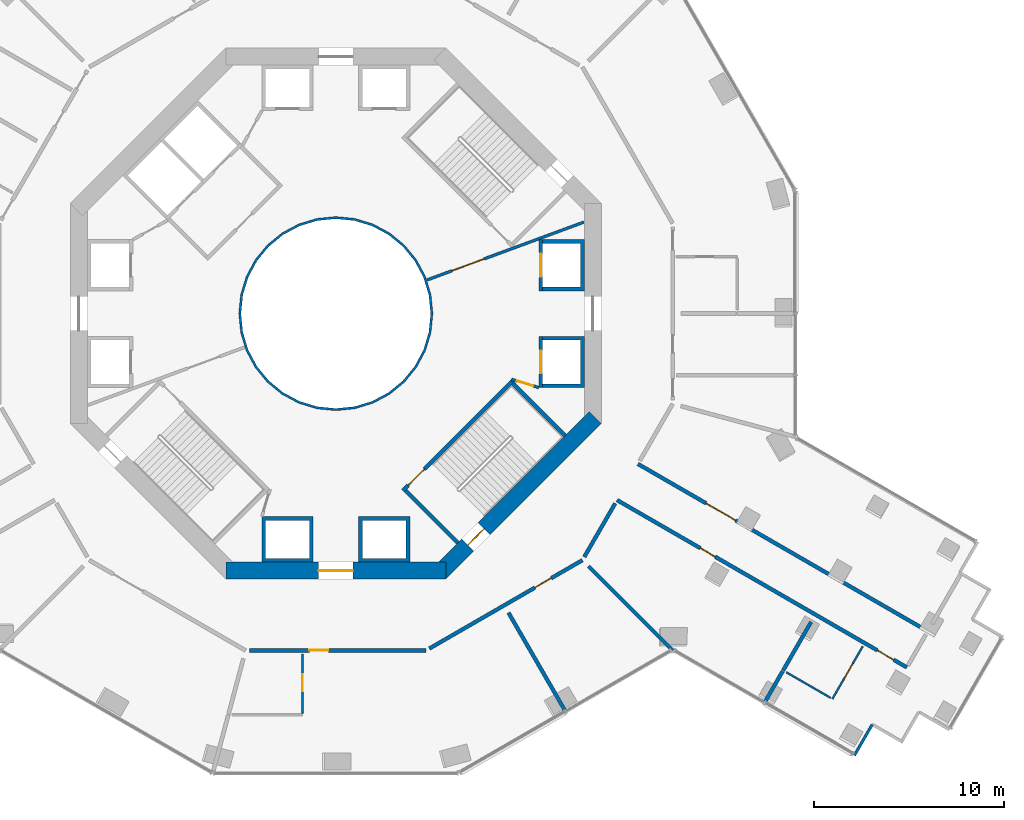
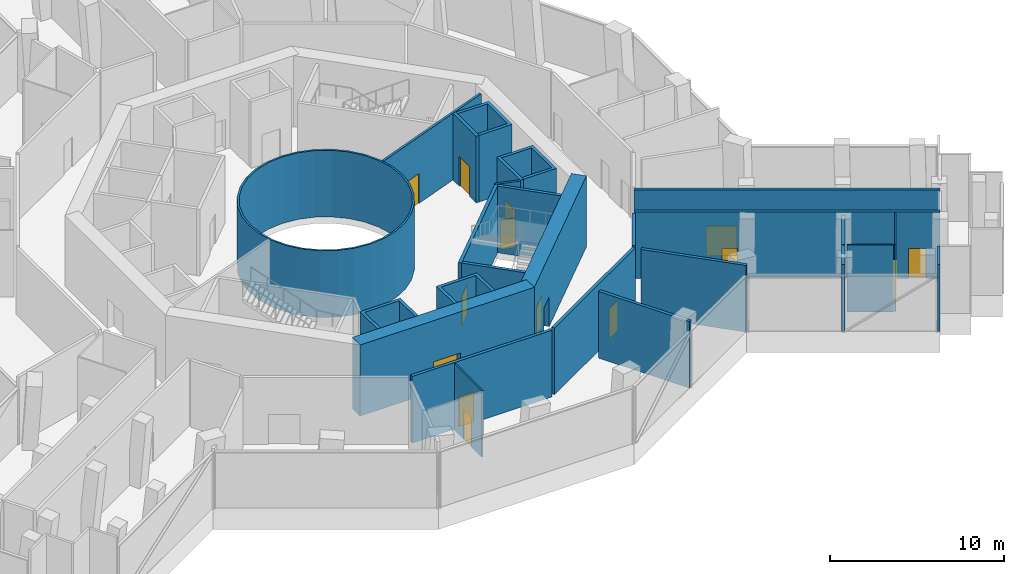
# One storey, part 10 of 16: 27 walls, 14 doors, 14 openings.
"""IFC4 building model written with IfcOpenShell, lengths in metres."""

import ifcopenshell
import ifcopenshell.guid

model = None  # the IFC model being written
_history = None  # IfcOwnerHistory: only IFC2X3 demands one
_inside = {}  # id of a spatial element -> (the spatial element, [elements in it])
_under = {}  # id of a project, library or spatial element -> (it, [spatial elements below it])
_declared = {}  # id of a project -> (the project, [libraries it declares])
_typed = {}  # id of a type object -> (the type object, [elements of that type])
_made_of = {}  # id of a material, layer set ... -> (it, [elements and type objects made of it])


def new_model(schema):
    """Start an empty IFC model of exactly this schema.

    Asked for "IFC4X3", IfcOpenShell would pick the latest addendum, in which some entities
    have other attributes; the version numbers below select the first issue.
    IFC2X3 requires an IfcOwnerHistory on every rooted entity: one is made here for all.
    """
    global model, _history
    if schema == "IFC4X3":
        model = ifcopenshell.file(schema_version=(4, 3, 0, 0))
    else:
        model = ifcopenshell.file(schema=schema)
    _inside.clear()
    _under.clear()
    _declared.clear()
    _typed.clear()
    _made_of.clear()
    _history = None
    if model.schema == "IFC2X3":
        org = make("IfcOrganization", Name="unknown")
        user = make(
            "IfcPersonAndOrganization",
            ThePerson=make("IfcPerson", FamilyName="unknown"),
            TheOrganization=org,
        )
        app = make(
            "IfcApplication",
            ApplicationDeveloper=org,
            Version="unknown",
            ApplicationFullName="unknown",
            ApplicationIdentifier="unknown",
        )
        _history = make(
            "IfcOwnerHistory",
            OwningUser=user,
            OwningApplication=app,
            ChangeAction="ADDED",
            CreationDate=0,
        )
    return model


def make(cls, **values):
    """One entity of the class cls with the attributes given. An attribute that is None is left unset."""
    return model.create_entity(
        cls, **{name: value for name, value in values.items() if value is not None}
    )


def rooted(cls, **values):
    """An entity with a GlobalId (a new one), such as an element, a storey or a relation."""
    return make(cls, GlobalId=ifcopenshell.guid.new(), OwnerHistory=_history, **values)


def si_unit(unit_type, name, prefix=None):
    """IfcSIUnit, for example si_unit("LENGTHUNIT", "METRE", prefix="MILLI")."""
    return make("IfcSIUnit", UnitType=unit_type, Prefix=prefix, Name=name)


def assignment(units):
    """IfcUnitAssignment: the units of a project."""
    return None if units is None else make("IfcUnitAssignment", Units=units)


def point(xyz):
    """IfcCartesianPoint."""
    return None if xyz is None else make("IfcCartesianPoint", Coordinates=xyz)


def direction(xyz):
    """IfcDirection."""
    return None if xyz is None else make("IfcDirection", DirectionRatios=xyz)


def frame(location, z_axis=None, x_axis=None):
    """IfcAxis2Placement3D, a coordinate frame: its origin and axes. An axis left out is left unset."""
    return make(
        "IfcAxis2Placement3D",
        Location=point(location),
        Axis=direction(z_axis),
        RefDirection=direction(x_axis),
    )


def frame_2d(location, x_axis=None):
    """IfcAxis2Placement2D, a coordinate frame in the plane: its origin and x axis."""
    return make(
        "IfcAxis2Placement2D", Location=point(location), RefDirection=direction(x_axis)
    )


def origin():
    """The frame at (0, 0, 0) with its axes left unset."""
    return frame((0.0, 0.0, 0.0))


def place(relative_to, where):
    """IfcLocalPlacement: puts the frame where relative to a parent placement (None: the world)."""
    return make(
        "IfcLocalPlacement", PlacementRelTo=relative_to, RelativePlacement=where
    )


def context(
    kind, dimensions, precision=None, world=None, true_north=None, identifier=None
):
    """IfcGeometricRepresentationContext, for example the 3D "Model" context."""
    return make(
        "IfcGeometricRepresentationContext",
        ContextIdentifier=identifier,
        ContextType=kind,
        CoordinateSpaceDimension=dimensions,
        Precision=precision,
        WorldCoordinateSystem=world,
        TrueNorth=true_north,
    )


def subcontext(parent, identifier, kind, view, scale=None):
    """IfcGeometricRepresentationSubContext, for example "Body" below "Model"."""
    return make(
        "IfcGeometricRepresentationSubContext",
        ContextIdentifier=identifier,
        ContextType=kind,
        ParentContext=parent,
        TargetScale=scale,
        TargetView=view,
    )


def project(units=None, contexts=None):
    """IfcProject with its units and contexts."""
    return rooted(
        "IfcProject",
        Name="project",
        RepresentationContexts=contexts,
        UnitsInContext=assignment(units),
    )


def spatial(cls, under=None, at=None, **own):
    """A site, building, storey or space (cls), placed at a placement, below another one or the project."""
    s = rooted(cls, ObjectPlacement=at, **own)
    if under is not None:
        _under.setdefault(under.id(), (under, []))[1].append(s)
    return s


def polyline(points):
    """IfcPolyline through the points."""
    return make("IfcPolyline", Points=[point(p) for p in points])


def profile(cls, at=None, kind="AREA", **sizes):
    """A parametric profile (cls). Its sizes go by their IFC names, for example OverallWidth=200.0."""
    return make(cls, ProfileType=kind, Position=at, **sizes)


def rectangle(**sizes):
    """IfcRectangleProfileDef."""
    return profile("IfcRectangleProfileDef", **sizes)


def outline(outer, holes=None, kind="AREA"):
    """IfcArbitraryClosedProfileDef: a profile drawn as a closed curve; with holes, ...WithVoids."""
    if holes is None:
        return make("IfcArbitraryClosedProfileDef", ProfileType=kind, OuterCurve=outer)
    return make(
        "IfcArbitraryProfileDefWithVoids",
        ProfileType=kind,
        OuterCurve=outer,
        InnerCurves=holes,
    )


def extrude(swept, where, along, depth):
    """IfcExtrudedAreaSolid: the profile swept, set in the frame where, extruded along a direction by depth."""
    return make(
        "IfcExtrudedAreaSolid",
        SweptArea=swept,
        Position=where,
        ExtrudedDirection=direction(along),
        Depth=depth,
    )


def shape(context_of_items, identifier, shape_type, items):
    """IfcShapeRepresentation: the items that make up one representation, for example the "Body"."""
    return make(
        "IfcShapeRepresentation",
        ContextOfItems=context_of_items,
        RepresentationIdentifier=identifier,
        RepresentationType=shape_type,
        Items=items,
    )


def material(Name=None, Category=None):
    """IfcMaterial."""
    return make("IfcMaterial", Name=Name, Category=Category)


def layer(
    of_material, thickness, ventilated=None, Name=None, Category=None, Priority=None
):
    """IfcMaterialLayer: one layer of a wall or slab, of a material (None: an air gap)."""
    return make(
        "IfcMaterialLayer",
        Material=of_material,
        LayerThickness=thickness,
        IsVentilated=ventilated,
        Name=Name,
        Category=Category,
        Priority=Priority,
    )


def layer_set(layers, Name=None):
    """IfcMaterialLayerSet."""
    return make("IfcMaterialLayerSet", MaterialLayers=layers, LayerSetName=Name)


def made_of(thing, what):
    """Note that an element or type object is made of a material, layer set ...; save() writes the relation."""
    if what is not None:
        _made_of.setdefault(what.id(), (what, []))[1].append(thing)
    return thing


def type_object(cls, material=None, **own):
    """A type object (cls), such as IfcWallType, which elements share."""
    return made_of(rooted(cls, **own), material)


def element(
    cls,
    number,
    at=None,
    inside=None,
    cuts=None,
    type_object=None,
    material=None,
    context=None,
    identifier="Body",
    shape_type=None,
    held_by="IfcProductDefinitionShape",
    body=None,
    shapes=None,
    **own,
):
    """One element of the class cls, such as IfcWall. Its Tag is "e" and its number.

    at: its placement. inside: the storey or other place that contains it. cuts: it is an
    opening in that element (IfcRelVoidsElement). A single representation is given by context,
    identifier, shape_type and body (its items); several are given by shapes. held_by: the class
    of the entity that holds the representations. save() writes the other relations.
    """
    e = rooted(cls, Tag="e%d" % number, ObjectPlacement=at, **own)
    if body is not None:
        shapes = [shape(context, identifier, shape_type, body)]
    if shapes is not None:
        e.Representation = make(held_by, Representations=shapes)
    if inside is not None:
        _inside.setdefault(inside.id(), (inside, []))[1].append(e)
    if cuts is not None:
        rooted(
            "IfcRelVoidsElement", RelatingBuildingElement=cuts, RelatedOpeningElement=e
        )
    if type_object is not None:
        _typed.setdefault(type_object.id(), (type_object, []))[1].append(e)
    return made_of(e, material)


def fill(opening, filler):
    """IfcRelFillsElement: the door or window that sits in an opening."""
    return rooted(
        "IfcRelFillsElement",
        RelatingOpeningElement=opening,
        RelatedBuildingElement=filler,
    )


def aggregate(whole, parts):
    """IfcRelAggregates: a whole, such as a stair, and the parts it consists of."""
    return rooted("IfcRelAggregates", RelatingObject=whole, RelatedObjects=parts)


def save(model, path):
    """Write the relations noted so far, then the file.

    IfcRelAggregates (storeys below a building ...), IfcRelContainedInSpatialStructure (elements
    in a storey), IfcRelDefinesByType, IfcRelAssociatesMaterial and IfcRelDeclares: one each for
    every whole, place, type object, material and project.
    """
    for whole, parts in _under.values():
        aggregate(whole, parts)
    for where, things in _inside.values():
        rooted(
            "IfcRelContainedInSpatialStructure",
            RelatedElements=things,
            RelatingStructure=where,
        )
    for kind, things in _typed.values():
        rooted("IfcRelDefinesByType", RelatedObjects=things, RelatingType=kind)
    for what, things in _made_of.values():
        rooted("IfcRelAssociatesMaterial", RelatedObjects=things, RelatingMaterial=what)
    for by, libraries in _declared.values():
        rooted("IfcRelDeclares", RelatingContext=by, RelatedDefinitions=libraries)
    model.write(path)


model = new_model("IFC4")

# Units and contexts
model_context = context("Model", 3, precision=1e-05, world=origin(), true_north=direction((0.0, 1.0)))
body_context = subcontext(model_context, "Body", "Model", "MODEL_VIEW")
ifc_project = project(units=[si_unit("LENGTHUNIT", "METRE"), si_unit("AREAUNIT", "SQUARE_METRE"), si_unit("VOLUMEUNIT", "CUBIC_METRE"), si_unit("PLANEANGLEUNIT", "RADIAN"), si_unit("MASSUNIT", "GRAM", prefix="KILO")], contexts=[model_context])

# Site, building, storey
site_placement = place(None, origin())
site = spatial("IfcSite", under=ifc_project, at=site_placement, CompositionType="ELEMENT")
building_placement = place(site_placement, origin())
building = spatial("IfcBuilding", under=site, at=building_placement, Name="Verdalira Terraces Hotel", CompositionType="ELEMENT")
storey_placement = place(building_placement, frame((0.0, 0.0, 34.0)))
storey = spatial("IfcBuildingStorey", under=building, at=storey_placement, Name="L06", CompositionType="ELEMENT", Elevation=34.0)

# Wall
ifc_material_1 = material(Name="Fire-resisting glass EI 180", Category="glass")
ifc_layer_1 = layer(ifc_material_1, 0.1201171875)
ifc_layer_set_1 = layer_set([ifc_layer_1], Name="Atrium fire screen 120 mm")
wall_type_1 = type_object("IfcWallType", Name="Atrium fire screen 120 mm", PredefinedType="SOLIDWALL", material=ifc_layer_set_1)
wall_1_placement = place(storey_placement, origin())
element("IfcWall", 1, at=wall_1_placement, inside=storey, type_object=wall_type_1, Name="Atrium fire screen", PredefinedType="SOLIDWALL", context=body_context, shape_type="SweptSolid", body=[
    extrude(outline(polyline([(5.021484, -0.998779), (4.730225, -1.959229), (4.25708, -2.844482), (3.620361, -3.620361), (2.844482, -4.25708), (1.959229, -4.730225), (0.998779, -5.021484), (0.0, -5.120117), (-0.998779, -5.021484), (-1.959229, -4.730225), (-2.844482, -4.25708), (-3.620361, -3.620361), (-4.25708, -2.844482), (-4.730225, -1.959229), (-5.021484, -0.998779), (-5.120117, 0.0), (-5.021484, 0.998779), (-4.730225, 1.959229), (-4.25708, 2.844482), (-3.620361, 3.620361), (-2.844482, 4.25708), (-1.959229, 4.730225), (-0.998779, 5.021484), (0.0, 5.120117), (0.998779, 5.021484), (1.959229, 4.730225), (2.844482, 4.25708), (3.620361, 3.620361), (4.25708, 2.844482), (4.730225, 1.959229), (5.021484, 0.998779), (5.120117, 0.0), (5.021484, -0.998779)]), holes=[polyline([(4.903809, 0.975586), (4.619385, 1.91333), (4.157227, 2.777832), (3.5354, 3.5354), (2.777832, 4.157227), (1.91333, 4.619385), (0.975586, 4.903809), (0.0, 5.0), (-0.975586, 4.903809), (-1.91333, 4.619385), (-2.777832, 4.157227), (-3.5354, 3.5354), (-4.157227, 2.777832), (-4.619385, 1.91333), (-4.903809, 0.975586), (-5.0, 0.0), (-4.903809, -0.975586), (-4.619385, -1.91333), (-4.157227, -2.777832), (-3.5354, -3.5354), (-2.777832, -4.157227), (-1.91333, -4.619385), (-0.975586, -4.903809), (0.0, -5.0), (0.975586, -4.903809), (1.91333, -4.619385), (2.777832, -4.157227), (3.5354, -3.5354), (4.157227, -2.777832), (4.619385, -1.91333), (4.903809, -0.975586), (5.0, 0.0), (4.903809, 0.975586)])]), origin(), (0.0, 0.0, 1.0), 4.689941),
])

# Wall, opening, door
ifc_material_2 = material(Name="Moisture-resistant gypsum board partition")
ifc_layer_2 = layer(ifc_material_2, 0.10009765625)
ifc_layer_set_2 = layer_set([ifc_layer_2], Name="Bathroom partition 100 mm")
wall_type_2 = type_object("IfcWallType", Name="Bathroom partition 100 mm", PredefinedType="PARTITIONING", material=ifc_layer_set_2)
wall_2_placement = place(storey_placement, frame((-1.758301, -21.05835, 0.0), z_axis=(0.0, 0.0, 1.0), x_axis=(0.0, 1.0, 0.0)))
wall_2 = element("IfcWall", 2, at=wall_2_placement, inside=storey, type_object=wall_type_2, Name="Bathroom partition", PredefinedType="PARTITIONING", context=body_context, shape_type="SweptSolid", body=[
    extrude(rectangle(XDim=3.100098, YDim=0.100098, at=frame_2d((1.550049, 0.0))), origin(), (0.0, 0.0, 1.0), 4.689941),
])
opening_1_placement = place(wall_2_placement, frame((1.149902, 0.0, 0.0)))
opening_1 = element("IfcOpeningElement", 3, at=opening_1_placement, cuts=wall_2, Name="Opening L06-116", PredefinedType="OPENING", context=body_context, shape_type="SweptSolid", body=[
    extrude(rectangle(XDim=0.899902, YDim=2.100098, at=frame_2d((0.449951, 1.050049))), frame((0.0, 0.060059, 0.0), z_axis=(0.0, -1.0, 0.0), x_axis=(1.0, 0.0, 0.0)), (0.0, 0.0, 1.0), 0.120117),
])
ifc_material_3 = material(Name="Timber door", Category="wood")
door_type_1 = type_object("IfcDoorType", Name="Bathroom door 900 x 2100", OperationType="NOTDEFINED", PredefinedType="DOOR", material=ifc_material_3)
door_1_placement = place(opening_1_placement, origin())
door_1 = element("IfcDoor", 4, at=door_1_placement, inside=storey, type_object=door_type_1, Name="Bathroom door 0610", OperationType="SINGLE_SWING_LEFT", OverallHeight=2.10009765625, OverallWidth=0.89990234375, PredefinedType="DOOR", context=body_context, shape_type="SweptSolid", body=[
    extrude(rectangle(XDim=0.899902, YDim=2.100098, at=frame_2d((0.449951, 1.050049))), frame((0.0, 0.024902, 0.0), z_axis=(0.0, -1.0, 0.0), x_axis=(1.0, 0.0, 0.0)), (0.0, 0.0, 1.0), 0.050049),
])
fill(opening_1, door_1)

# Wall
wall_3_placement = place(storey_placement, frame((26.094238, -20.261719, 0.0), z_axis=(0.0, 0.0, 1.0), x_axis=(-0.865997349, 0.500048589, 0.0)))
element("IfcWall", 5, at=wall_3_placement, inside=storey, type_object=wall_type_2, Name="Bathroom partition", PredefinedType="PARTITIONING", context=body_context, shape_type="SweptSolid", body=[
    extrude(rectangle(XDim=2.699951, YDim=0.100098, at=frame_2d((1.350098, 0.0))), origin(), (0.0, 0.0, 1.0), 4.689941),
])

# Wall, opening, door
wall_4_placement = place(storey_placement, frame((26.180908, -20.311768, 0.0), z_axis=(0.0, 0.0, 1.0), x_axis=(0.499995408, 0.866028055, 0.0)))
wall_4 = element("IfcWall", 6, at=wall_4_placement, inside=storey, type_object=wall_type_2, Name="Bathroom partition", PredefinedType="PARTITIONING", context=body_context, shape_type="SweptSolid", body=[
    extrude(rectangle(XDim=3.200195, YDim=0.100098, at=frame_2d((1.600098, 0.0))), origin(), (0.0, 0.0, 1.0), 4.689941),
])
opening_2_placement = place(wall_4_placement, frame((1.25, 0.0, 0.0)))
opening_2 = element("IfcOpeningElement", 7, at=opening_2_placement, cuts=wall_4, Name="Opening L06-120", PredefinedType="OPENING", context=body_context, shape_type="SweptSolid", body=[
    extrude(rectangle(XDim=0.899902, YDim=2.100098, at=frame_2d((0.449951, 1.050049))), frame((0.0, 0.060059, 0.0), z_axis=(0.0, -1.0, 0.0), x_axis=(1.0, 0.0, 0.0)), (0.0, 0.0, 1.0), 0.120117),
])
door_2_placement = place(opening_2_placement, origin())
door_2 = element("IfcDoor", 8, at=door_2_placement, inside=storey, type_object=door_type_1, Name="Bathroom door 0613", OperationType="SINGLE_SWING_LEFT", OverallHeight=2.10009765625, OverallWidth=0.89990234375, PredefinedType="DOOR", context=body_context, shape_type="SweptSolid", body=[
    extrude(rectangle(XDim=0.899902, YDim=2.100098, at=frame_2d((0.449951, 1.050049))), frame((0.0, 0.024902, 0.0), z_axis=(0.0, -1.0, 0.0), x_axis=(1.0, 0.0, 0.0)), (0.0, 0.0, 1.0), 0.050049),
])
fill(opening_2, door_2)

# Wall
ifc_material_4 = material(Name="Concrete C50", Category="concrete")
ifc_layer_3 = layer(ifc_material_4, 0.199951171875)
ifc_layer_set_3 = layer_set([ifc_layer_3], Name="Core RC wall 200 C50")
wall_type_3 = type_object("IfcWallType", Name="Core RC wall 200 C50", PredefinedType="SOLIDWALL", material=ifc_layer_set_3)
wall_5_placement = place(storey_placement, origin())
element("IfcWall", 9, at=wall_5_placement, inside=storey, type_object=wall_type_3, Name="L06 shaft wall E1", PredefinedType="SOLIDWALL", context=body_context, shape_type="SweptSolid", body=[
    extrude(outline(polyline([(13.100098, -3.899902), (10.899902, -3.899902), (10.899902, -3.699951), (12.899902, -3.699951), (12.899902, -1.399902), (10.899902, -1.399902), (10.899902, -1.199951), (13.100098, -1.199951), (13.100098, -3.899902)])), origin(), (0.0, 0.0, 1.0), 4.689941),
])

# Wall, opening, door
wall_6_placement = place(storey_placement, frame((10.800049, -1.199951, 0.0), z_axis=(0.0, 0.0, 1.0), x_axis=(0.0, -1.0, 0.0)))
wall_6 = element("IfcWall", 10, at=wall_6_placement, inside=storey, type_object=wall_type_3, Name="L06 shaft front wall E1", PredefinedType="SOLIDWALL", context=body_context, shape_type="SweptSolid", body=[
    extrude(rectangle(XDim=2.699951, YDim=0.199951, at=frame_2d((1.350098, 0.0))), origin(), (0.0, 0.0, 1.0), 4.689941),
])
opening_3_placement = place(wall_6_placement, frame((0.75, 0.0, 0.0)))
opening_3 = element("IfcOpeningElement", 11, at=opening_3_placement, cuts=wall_6, Name="Opening LD-L06-801", PredefinedType="OPENING", context=body_context, shape_type="SweptSolid", body=[
    extrude(rectangle(XDim=1.199951, YDim=2.100098, at=frame_2d((0.600098, 1.050049))), frame((0.0, 0.109863, 0.0), z_axis=(0.0, -1.0, 0.0), x_axis=(1.0, 0.0, 0.0)), (0.0, 0.0, 1.0), 0.219971),
])
ifc_material_5 = material(Name="Stainless steel", Category="steel")
door_type_2 = type_object("IfcDoorType", Name="Landing door 1200 x 2100", OperationType="NOTDEFINED", PredefinedType="DOOR", material=ifc_material_5)
door_3_placement = place(opening_3_placement, origin())
door_3 = element("IfcDoor", 12, at=door_3_placement, inside=storey, type_object=door_type_2, Name="Lift landing door LR1 L06", OperationType="DOUBLE_DOOR_SLIDING", OverallHeight=2.10009765625, OverallWidth=1.199951171875, PredefinedType="DOOR", context=body_context, shape_type="SweptSolid", body=[
    extrude(rectangle(XDim=1.199951, YDim=2.100098, at=frame_2d((0.600098, 1.050049))), frame((0.0, 0.024902, 0.0), z_axis=(0.0, -1.0, 0.0), x_axis=(1.0, 0.0, 0.0)), (0.0, 0.0, 1.0), 0.050049),
])
fill(opening_3, door_3)

# Wall
wall_7_placement = place(storey_placement, origin())
element("IfcWall", 13, at=wall_7_placement, inside=storey, type_object=wall_type_3, Name="L06 shaft wall E2", PredefinedType="SOLIDWALL", context=body_context, shape_type="SweptSolid", body=[
    extrude(outline(polyline([(13.100098, 3.899902), (13.100098, 1.199951), (10.899902, 1.199951), (10.899902, 1.399902), (12.899902, 1.399902), (12.899902, 3.699951), (10.899902, 3.699951), (10.899902, 3.899902), (13.100098, 3.899902)])), origin(), (0.0, 0.0, 1.0), 4.689941),
])

# Wall, opening, door
wall_8_placement = place(storey_placement, frame((10.800049, 1.199951, 0.0), z_axis=(0.0, 0.0, 1.0), x_axis=(0.0, 1.0, 0.0)))
wall_8 = element("IfcWall", 14, at=wall_8_placement, inside=storey, type_object=wall_type_3, Name="L06 shaft front wall E2", PredefinedType="SOLIDWALL", context=body_context, shape_type="SweptSolid", body=[
    extrude(rectangle(XDim=2.699951, YDim=0.199951, at=frame_2d((1.350098, 0.0))), origin(), (0.0, 0.0, 1.0), 4.689941),
])
opening_4_placement = place(wall_8_placement, frame((0.75, 0.0, 0.0)))
opening_4 = element("IfcOpeningElement", 15, at=opening_4_placement, cuts=wall_8, Name="Opening LD-L06-802", PredefinedType="OPENING", context=body_context, shape_type="SweptSolid", body=[
    extrude(rectangle(XDim=1.199951, YDim=2.100098, at=frame_2d((0.600098, 1.050049))), frame((0.0, 0.109863, 0.0), z_axis=(0.0, -1.0, 0.0), x_axis=(1.0, 0.0, 0.0)), (0.0, 0.0, 1.0), 0.219971),
])
door_4_placement = place(opening_4_placement, origin())
door_4 = element("IfcDoor", 16, at=door_4_placement, inside=storey, type_object=door_type_2, Name="Lift landing door LR2 L06", OperationType="DOUBLE_DOOR_SLIDING", OverallHeight=2.10009765625, OverallWidth=1.199951171875, PredefinedType="DOOR", context=body_context, shape_type="SweptSolid", body=[
    extrude(rectangle(XDim=1.199951, YDim=2.100098, at=frame_2d((0.600098, 1.050049))), frame((0.0, 0.024902, 0.0), z_axis=(0.0, -1.0, 0.0), x_axis=(1.0, 0.0, 0.0)), (0.0, 0.0, 1.0), 0.050049),
])
fill(opening_4, door_4)

# Walls
wall_9_placement = place(storey_placement, origin())
element("IfcWall", 17, at=wall_9_placement, inside=storey, type_object=wall_type_3, Name="L06 shaft wall S1", PredefinedType="SOLIDWALL", context=body_context, shape_type="SweptSolid", body=[
    extrude(outline(polyline([(-1.199951, -13.100098), (-3.899902, -13.100098), (-3.899902, -10.699951), (-1.199951, -10.699951), (-1.199951, -13.100098)]), holes=[polyline([(-3.699951, -10.899902), (-3.699951, -12.899902), (-1.399902, -12.899902), (-1.399902, -10.899902), (-3.699951, -10.899902)])]), origin(), (0.0, 0.0, 1.0), 4.689941),
])
wall_10_placement = place(storey_placement, origin())
element("IfcWall", 18, at=wall_10_placement, inside=storey, type_object=wall_type_3, Name="L06 shaft wall S2", PredefinedType="SOLIDWALL", context=body_context, shape_type="SweptSolid", body=[
    extrude(outline(polyline([(3.899902, -10.699951), (3.899902, -13.100098), (1.199951, -13.100098), (1.199951, -10.699951), (3.899902, -10.699951)]), holes=[polyline([(1.399902, -12.899902), (3.699951, -12.899902), (3.699951, -10.899902), (1.399902, -10.899902), (1.399902, -12.899902)])]), origin(), (0.0, 0.0, 1.0), 4.689941),
])

# Wall, opening, door
wall_11_placement = place(storey_placement, frame((9.33374, -3.5354, 0.0), z_axis=(0.0, 0.0, 1.0), x_axis=(-0.707106781, -0.707106781, 0.0)))
wall_11 = element("IfcWall", 19, at=wall_11_placement, inside=storey, type_object=wall_type_3, Name="L06 stair ST3 front wall", PredefinedType="SOLIDWALL", context=body_context, shape_type="SweptSolid", body=[
    extrude(rectangle(XDim=8.200195, YDim=0.199951, at=frame_2d((4.100098, 0.0))), origin(), (0.0, 0.0, 1.0), 4.689941),
])
opening_5_placement = place(wall_11_placement, frame((6.600098, 0.0, 0.0)))
opening_5 = element("IfcOpeningElement", 20, at=opening_5_placement, cuts=wall_11, Name="Opening L06-811", PredefinedType="OPENING", context=body_context, shape_type="SweptSolid", body=[
    extrude(rectangle(XDim=1.199951, YDim=2.100098, at=frame_2d((0.600098, 1.050049))), frame((0.0, 0.109863, 0.0), z_axis=(0.0, -1.0, 0.0), x_axis=(1.0, 0.0, 0.0)), (0.0, 0.0, 1.0), 0.219971),
])
ifc_material_6 = material(Name="Steel fire door", Category="steel")
door_type_3 = type_object("IfcDoorType", Name="Stair door 1200 x 2100", OperationType="NOTDEFINED", PredefinedType="DOOR", material=ifc_material_6)
door_5_placement = place(opening_5_placement, origin())
door_5 = element("IfcDoor", 21, at=door_5_placement, inside=storey, type_object=door_type_3, Name="Stair door ST3 L06", OperationType="SINGLE_SWING_RIGHT", OverallHeight=2.10009765625, OverallWidth=1.199951171875, PredefinedType="DOOR", context=body_context, shape_type="SweptSolid", body=[
    extrude(rectangle(XDim=1.199951, YDim=2.100098, at=frame_2d((0.600098, 1.050049))), frame((0.0, 0.024902, 0.0), z_axis=(0.0, -1.0, 0.0), x_axis=(1.0, 0.0, 0.0)), (0.0, 0.0, 1.0), 0.050049),
])
fill(opening_5, door_5)

# Walls
for number, where, z_axis, x_axis, name in (
    (22, (3.677002, -9.33374, 0.0), (0.0, 0.0, 1.0), (0.707106781, -0.707106781, 0.0), "L06 stair ST3 end wall 1"),
    (23, (9.33374, -3.677002, 0.0), (0.0, 0.0, 1.0), (0.707106781, -0.707106781, 0.0), "L06 stair ST3 end wall 2"),
):
    element("IfcWall", number, at=place(storey_placement, frame(where, z_axis=z_axis, x_axis=x_axis)), inside=storey, type_object=wall_type_3, Name=name, PredefinedType="SOLIDWALL", context=body_context, shape_type="SweptSolid", body=[
        extrude(rectangle(XDim=3.900146, YDim=0.199951, at=frame_2d((1.950195, 0.0))), origin(), (0.0, 0.0, 1.0), 4.689941),
    ])

# Wall, opening, door
ifc_material_7 = material(Name="Gypsum board partition")
ifc_layer_4 = layer(ifc_material_7, 0.14990234375)
ifc_layer_set_4 = layer_set([ifc_layer_4], Name="Core partition 150 mm")
wall_type_4 = type_object("IfcWallType", Name="Core partition 150 mm", PredefinedType="PARTITIONING", material=ifc_layer_set_4)
wall_12_placement = place(storey_placement, frame((9.263184, -3.464844, 0.0), z_axis=(0.0, 0.0, 1.0), x_axis=(0.957084567, -0.289808785, 0.0)))
wall_12 = element("IfcWall", 24, at=wall_12_placement, inside=storey, type_object=wall_type_4, Name="Room partition L06", PredefinedType="PARTITIONING", context=body_context, shape_type="SweptSolid", body=[
    extrude(rectangle(XDim=1.501221, YDim=0.149902, at=frame_2d((0.750488, 0.0))), origin(), (0.0, 0.0, 1.0), 4.689941),
])
opening_6_placement = place(wall_12_placement, frame((0.300781, 0.0, 0.0)))
opening_6 = element("IfcOpeningElement", 25, at=opening_6_placement, cuts=wall_12, Name="Opening L06-823", PredefinedType="OPENING", context=body_context, shape_type="SweptSolid", body=[
    extrude(rectangle(XDim=0.899902, YDim=2.100098, at=frame_2d((0.449951, 1.050049))), frame((0.0, 0.084961, 0.0), z_axis=(0.0, -1.0, 0.0), x_axis=(1.0, 0.0, 0.0)), (0.0, 0.0, 1.0), 0.169922),
])
ifc_material_8 = material(Name="Steel fire door", Category="steel")
door_type_4 = type_object("IfcDoorType", Name="Core room door 900 x 2100", OperationType="NOTDEFINED", PredefinedType="DOOR", material=ifc_material_8)
door_6_placement = place(opening_6_placement, origin())
door_6 = element("IfcDoor", 26, at=door_6_placement, inside=storey, type_object=door_type_4, Name="Door L06 room7", OperationType="SINGLE_SWING_LEFT", OverallHeight=2.10009765625, OverallWidth=0.89990234375, PredefinedType="DOOR", context=body_context, shape_type="SweptSolid", body=[
    extrude(rectangle(XDim=0.899902, YDim=2.100098, at=frame_2d((0.449951, 1.050049))), frame((0.0, 0.024902, 0.0), z_axis=(0.0, -1.0, 0.0), x_axis=(1.0, 0.0, 0.0)), (0.0, 0.0, 1.0), 0.050049),
])
fill(opening_6, door_6)

wall_13_placement = place(storey_placement, frame((4.812988, 1.775635, 0.0), z_axis=(0.0, 0.0, 1.0), x_axis=(0.93819293, 0.346112737, 0.0)))
wall_13 = element("IfcWall", 27, at=wall_13_placement, inside=storey, type_object=wall_type_4, Name="Gallery fire partition L06", PredefinedType="PARTITIONING", context=body_context, shape_type="SweptSolid", body=[
    extrude(rectangle(XDim=8.803223, YDim=0.149902, at=frame_2d((4.401611, 0.0))), origin(), (0.0, 0.0, 1.0), 4.689941),
])
opening_7_placement = place(wall_13_placement, frame((1.399902, 0.0, 0.0)))
opening_7 = element("IfcOpeningElement", 28, at=opening_7_placement, cuts=wall_13, Name="Opening L06-824", PredefinedType="OPENING", context=body_context, shape_type="SweptSolid", body=[
    extrude(rectangle(XDim=1.800049, YDim=2.100098, at=frame_2d((0.899902, 1.050049))), frame((0.0, 0.084961, 0.0), z_axis=(0.0, -1.0, 0.0), x_axis=(1.0, 0.0, 0.0)), (0.0, 0.0, 1.0), 0.169922),
])
ifc_material_9 = material(Name="Steel fire door", Category="steel")
door_type_5 = type_object("IfcDoorType", Name="Gallery fire door pair 1800 x 2100", OperationType="NOTDEFINED", PredefinedType="DOOR", material=ifc_material_9)
door_7_placement = place(opening_7_placement, origin())
door_7 = element("IfcDoor", 29, at=door_7_placement, inside=storey, type_object=door_type_5, Name="Door L06 split0", OperationType="DOUBLE_DOOR_SINGLE_SWING", OverallHeight=2.10009765625, OverallWidth=1.800048828125, PredefinedType="DOOR", context=body_context, shape_type="SweptSolid", body=[
    extrude(rectangle(XDim=1.800049, YDim=2.100098, at=frame_2d((0.899902, 1.050049))), frame((0.0, 0.024902, 0.0), z_axis=(0.0, -1.0, 0.0), x_axis=(1.0, 0.0, 0.0)), (0.0, 0.0, 1.0), 0.050049),
])
fill(opening_7, door_7)

ifc_material_10 = material(Name="Concrete C70", Category="concrete")
ifc_layer_5 = layer(ifc_material_10, 0.89990234375)
ifc_layer_set_5 = layer_set([ifc_layer_5], Name="Core wall 900 C70")
wall_type_5 = type_object("IfcWallType", Name="Core wall 900 C70", PredefinedType="SHEAR", material=ifc_layer_set_5)
wall_14_placement = place(storey_placement, frame((-5.799072, -13.550049, 0.0), z_axis=(0.0, 0.0, 1.0), x_axis=(1.0, 0.0, 0.0)))
wall_14 = element("IfcWall", 30, at=wall_14_placement, inside=storey, type_object=wall_type_5, Name="Core wall CW-L06-7", PredefinedType="SHEAR", context=body_context, shape_type="SweptSolid", body=[
    extrude(rectangle(XDim=11.598145, YDim=0.899902, at=frame_2d((5.799072, 0.0))), origin(), (0.0, 0.0, 1.0), 5.0),
])
opening_8_placement = place(wall_14_placement, frame((4.898926, 0.0, 0.0)))
opening_8 = element("IfcOpeningElement", 31, at=opening_8_placement, cuts=wall_14, Name="Opening L06-815", PredefinedType="OPENING", context=body_context, shape_type="SweptSolid", body=[
    extrude(rectangle(XDim=1.800049, YDim=2.100098, at=frame_2d((0.899902, 1.050049))), frame((0.0, 0.459961, 0.0), z_axis=(0.0, -1.0, 0.0), x_axis=(1.0, 0.0, 0.0)), (0.0, 0.0, 1.0), 0.919922),
])
ifc_material_11 = material(Name="Steel fire door", Category="steel")
door_type_6 = type_object("IfcDoorType", Name="Core entry door pair 1800 x 2100", OperationType="NOTDEFINED", PredefinedType="DOOR", material=ifc_material_11)
door_8_placement = place(opening_8_placement, origin())
door_8 = element("IfcDoor", 32, at=door_8_placement, inside=storey, type_object=door_type_6, Name="Core entry door L06 6", OperationType="DOUBLE_DOOR_SINGLE_SWING", OverallHeight=2.10009765625, OverallWidth=1.800048828125, PredefinedType="DOOR", context=body_context, shape_type="SweptSolid", body=[
    extrude(rectangle(XDim=1.800049, YDim=2.100098, at=frame_2d((0.899902, 1.050049))), frame((0.0, 0.024902, 0.0), z_axis=(0.0, -1.0, 0.0), x_axis=(1.0, 0.0, 0.0)), (0.0, 0.0, 1.0), 0.050049),
])
fill(opening_8, door_8)

wall_15_placement = place(storey_placement, frame((5.480713, -13.681885, 0.0), z_axis=(0.0, 0.0, 1.0), x_axis=(0.707106781, 0.707106781, 0.0)))
wall_15 = element("IfcWall", 33, at=wall_15_placement, inside=storey, type_object=wall_type_5, Name="Core wall CW-L06-8", PredefinedType="SHEAR", context=body_context, shape_type="SweptSolid", body=[
    extrude(rectangle(XDim=11.598145, YDim=0.899902, at=frame_2d((5.799072, 0.0))), origin(), (0.0, 0.0, 1.0), 5.0),
])
opening_9_placement = place(wall_15_placement, frame((2.099121, 0.0, 0.0)))
opening_9 = element("IfcOpeningElement", 34, at=opening_9_placement, cuts=wall_15, Name="Opening L06-818", PredefinedType="OPENING", context=body_context, shape_type="SweptSolid", body=[
    extrude(rectangle(XDim=1.199951, YDim=2.100098, at=frame_2d((0.600098, 1.050049))), frame((0.0, 0.459961, 0.0), z_axis=(0.0, -1.0, 0.0), x_axis=(1.0, 0.0, 0.0)), (0.0, 0.0, 1.0), 0.919922),
])
door_9_placement = place(opening_9_placement, origin())
door_9 = element("IfcDoor", 35, at=door_9_placement, inside=storey, type_object=door_type_3, Name="Stair exit door ST3 L06", OperationType="SINGLE_SWING_LEFT", OverallHeight=2.10009765625, OverallWidth=1.199951171875, PredefinedType="DOOR", context=body_context, shape_type="SweptSolid", body=[
    extrude(rectangle(XDim=1.199951, YDim=2.100098, at=frame_2d((0.600098, 1.050049))), frame((0.0, 0.024902, 0.0), z_axis=(0.0, -1.0, 0.0), x_axis=(1.0, 0.0, 0.0)), (0.0, 0.0, 1.0), 0.050049),
])
fill(opening_9, door_9)

# Wall
ifc_material_12 = material(Name="Fire-rated gypsum board wall")
ifc_layer_6 = layer(ifc_material_12, 0.199951171875)
ifc_layer_set_6 = layer_set([ifc_layer_6], Name="Demising wall 200 mm")
wall_type_6 = type_object("IfcWallType", Name="Demising wall 200 mm", PredefinedType="SOLIDWALL", material=ifc_layer_set_6)
wall_16_placement = place(storey_placement, frame((12.12915, -21.008301, 0.0), z_axis=(0.0, 0.0, 1.0), x_axis=(-0.500008765, 0.866020343, 0.0)))
element("IfcWall", 36, at=wall_16_placement, inside=storey, type_object=wall_type_6, Name="Demising wall", PredefinedType="SOLIDWALL", context=body_context, shape_type="SweptSolid", body=[
    extrude(rectangle(XDim=6.052734, YDim=0.199951, at=frame_2d((3.026367, 0.0))), origin(), (0.0, 0.0, 1.0), 4.689941),
])

# Wall, opening, door
ifc_material_13 = material(Name="Fire-rated gypsum board wall")
ifc_layer_7 = layer(ifc_material_13, 0.199951171875)
ifc_layer_set_7 = layer_set([ifc_layer_7], Name="Guest corridor wall 200 mm")
wall_type_7 = type_object("IfcWallType", Name="Guest corridor wall 200 mm", PredefinedType="SOLIDWALL", material=ifc_layer_set_7)
wall_17_placement = place(storey_placement, frame((4.757812, -17.758301, 0.0), z_axis=(0.0, 0.0, 1.0), x_axis=(-1.0, 0.0, 0.0)))
wall_17 = element("IfcWall", 37, at=wall_17_placement, inside=storey, type_object=wall_type_7, Name="Guest corridor wall", PredefinedType="SOLIDWALL", context=body_context, shape_type="SweptSolid", body=[
    extrude(rectangle(XDim=9.316162, YDim=0.199951, at=frame_2d((4.658203, 0.0))), origin(), (0.0, 0.0, 1.0), 4.689941),
])
opening_10_placement = place(wall_17_placement, frame((5.149902, 0.0, 0.0)))
opening_10 = element("IfcOpeningElement", 38, at=opening_10_placement, cuts=wall_17, Name="Opening L06-115", PredefinedType="OPENING", context=body_context, shape_type="SweptSolid", body=[
    extrude(rectangle(XDim=1.0, YDim=2.100098, at=frame_2d((0.5, 1.050049))), frame((0.0, 0.109863, 0.0), z_axis=(0.0, -1.0, 0.0), x_axis=(1.0, 0.0, 0.0)), (0.0, 0.0, 1.0), 0.219971),
])
ifc_material_14 = material(Name="Timber fire door", Category="wood")
door_type_7 = type_object("IfcDoorType", Name="Guest entry door 1000 x 2100", OperationType="NOTDEFINED", PredefinedType="DOOR", material=ifc_material_14)
door_10_placement = place(opening_10_placement, origin())
door_10 = element("IfcDoor", 39, at=door_10_placement, inside=storey, type_object=door_type_7, Name="Guest entry door 0610", OperationType="SINGLE_SWING_LEFT", OverallHeight=2.10009765625, OverallWidth=1.0, PredefinedType="DOOR", context=body_context, shape_type="SweptSolid", body=[
    extrude(rectangle(XDim=1.0, YDim=2.100098, at=frame_2d((0.5, 1.050049))), frame((0.0, 0.024902, 0.0), z_axis=(0.0, -1.0, 0.0), x_axis=(1.0, 0.0, 0.0)), (0.0, 0.0, 1.0), 0.050049),
])
fill(opening_10, door_10)

wall_18_placement = place(storey_placement, frame((13.0, -13.0, 0.0), z_axis=(0.0, 0.0, 1.0), x_axis=(-0.866021935, -0.500006007, 0.0)))
wall_18 = element("IfcWall", 40, at=wall_18_placement, inside=storey, type_object=wall_type_7, Name="Guest corridor wall", PredefinedType="SOLIDWALL", context=body_context, shape_type="SweptSolid", body=[
    extrude(rectangle(XDim=9.316406, YDim=0.199951, at=frame_2d((4.658203, 0.0))), origin(), (0.0, 0.0, 1.0), 4.689941),
])
opening_11_placement = place(wall_18_placement, frame((1.899902, 0.0, 0.0)))
opening_11 = element("IfcOpeningElement", 41, at=opening_11_placement, cuts=wall_18, Name="Opening L06-117", PredefinedType="OPENING", context=body_context, shape_type="SweptSolid", body=[
    extrude(rectangle(XDim=1.0, YDim=2.100098, at=frame_2d((0.5, 1.050049))), frame((0.0, 0.109863, 0.0), z_axis=(0.0, -1.0, 0.0), x_axis=(1.0, 0.0, 0.0)), (0.0, 0.0, 1.0), 0.219971),
])
ifc_material_15 = material(Name="Timber fire door", Category="wood")
door_type_8 = type_object("IfcDoorType", Name="Public room door 1000 x 2100", OperationType="NOTDEFINED", PredefinedType="DOOR", material=ifc_material_15)
door_11_placement = place(opening_11_placement, origin())
door_11 = element("IfcDoor", 42, at=door_11_placement, inside=storey, type_object=door_type_8, Name="Public room door 0611", OperationType="SINGLE_SWING_LEFT", OverallHeight=2.10009765625, OverallWidth=1.0, PredefinedType="DOOR", context=body_context, shape_type="SweptSolid", body=[
    extrude(rectangle(XDim=1.0, YDim=2.100098, at=frame_2d((0.5, 1.050049))), frame((0.0, 0.024902, 0.0), z_axis=(0.0, -1.0, 0.0), x_axis=(1.0, 0.0, 0.0)), (0.0, 0.0, 1.0), 0.050049),
])
fill(opening_11, door_11)

# Wall
wall_19_placement = place(storey_placement, frame((13.100098, -12.826904, 0.0), z_axis=(0.0, 0.0, 1.0), x_axis=(0.499910548, 0.866077043, 0.0)))
element("IfcWall", 43, at=wall_19_placement, inside=storey, type_object=wall_type_7, Name="Guest corridor wall", PredefinedType="SOLIDWALL", context=body_context, shape_type="SweptSolid", body=[
    extrude(rectangle(XDim=3.258301, YDim=0.199951, at=frame_2d((1.62915, 0.0))), origin(), (0.0, 0.0, 1.0), 4.689941),
])

# Wall, openings, doors
wall_20_placement = place(storey_placement, frame((30.105713, -18.651611, 0.0), z_axis=(0.0, 0.0, 1.0), x_axis=(-0.86602863, 0.499994411, 0.0)))
wall_20 = element("IfcWall", 44, at=wall_20_placement, inside=storey, type_object=wall_type_7, Name="Guest corridor wall", PredefinedType="SOLIDWALL", context=body_context, shape_type="SweptSolid", body=[
    extrude(rectangle(XDim=17.639893, YDim=0.199951, at=frame_2d((8.819824, 0.0))), origin(), (0.0, 0.0, 1.0), 4.689941),
])
opening_12_placement = place(wall_20_placement, frame((11.668945, 0.0, 0.0)))
opening_12 = element("IfcOpeningElement", 45, at=opening_12_placement, cuts=wall_20, Name="Opening L06-118", PredefinedType="OPENING", context=body_context, shape_type="SweptSolid", body=[
    extrude(rectangle(XDim=0.899902, YDim=2.100098, at=frame_2d((0.449951, 1.050049))), frame((0.0, 0.109863, 0.0), z_axis=(0.0, -1.0, 0.0), x_axis=(1.0, 0.0, 0.0)), (0.0, 0.0, 1.0), 0.219971),
])
opening_13_placement = place(wall_20_placement, frame((0.800049, 0.0, 0.0)))
opening_13 = element("IfcOpeningElement", 46, at=opening_13_placement, cuts=wall_20, Name="Opening L06-119", PredefinedType="OPENING", context=body_context, shape_type="SweptSolid", body=[
    extrude(rectangle(XDim=1.0, YDim=2.100098, at=frame_2d((0.5, 1.050049))), frame((0.0, 0.109863, 0.0), z_axis=(0.0, -1.0, 0.0), x_axis=(1.0, 0.0, 0.0)), (0.0, 0.0, 1.0), 0.219971),
])
door_12_placement = place(opening_13_placement, origin())
door_12 = element("IfcDoor", 47, at=door_12_placement, inside=storey, type_object=door_type_7, Name="Guest entry door 0613", OperationType="SINGLE_SWING_LEFT", OverallHeight=2.10009765625, OverallWidth=1.0, PredefinedType="DOOR", context=body_context, shape_type="SweptSolid", body=[
    extrude(rectangle(XDim=1.0, YDim=2.100098, at=frame_2d((0.5, 1.050049))), frame((0.0, 0.024902, 0.0), z_axis=(0.0, -1.0, 0.0), x_axis=(1.0, 0.0, 0.0)), (0.0, 0.0, 1.0), 0.050049),
])
fill(opening_13, door_12)
ifc_material_16 = material(Name="Steel fire door", Category="steel")
door_type_9 = type_object("IfcDoorType", Name="Service room door 900 x 2100", OperationType="NOTDEFINED", PredefinedType="DOOR", material=ifc_material_16)
door_13_placement = place(opening_12_placement, origin())
door_13 = element("IfcDoor", 48, at=door_13_placement, inside=storey, type_object=door_type_9, Name="Service room door 0612", OperationType="SINGLE_SWING_LEFT", OverallHeight=2.10009765625, OverallWidth=0.89990234375, PredefinedType="DOOR", context=body_context, shape_type="SweptSolid", body=[
    extrude(rectangle(XDim=0.899902, YDim=2.100098, at=frame_2d((0.449951, 1.050049))), frame((0.0, 0.024902, 0.0), z_axis=(0.0, -1.0, 0.0), x_axis=(1.0, 0.0, 0.0)), (0.0, 0.0, 1.0), 0.050049),
])
fill(opening_12, door_13)

# Wall, opening, door
wall_21_placement = place(storey_placement, frame((15.929199, -7.926514, 0.0), z_axis=(0.0, 0.0, 1.0), x_axis=(0.866025419, -0.499999974, 0.0)))
wall_21 = element("IfcWall", 49, at=wall_21_placement, inside=storey, type_object=wall_type_7, Name="Guest corridor wall", PredefinedType="SOLIDWALL", context=body_context, shape_type="SweptSolid", body=[
    extrude(rectangle(XDim=17.641602, YDim=0.199951, at=frame_2d((8.820801, 0.0))), origin(), (0.0, 0.0, 1.0), 4.689941),
])
opening_14_placement = place(wall_21_placement, frame((4.149902, 0.0, 0.0)))
opening_14 = element("IfcOpeningElement", 50, at=opening_14_placement, cuts=wall_21, Name="Opening L06-121", PredefinedType="OPENING", context=body_context, shape_type="SweptSolid", body=[
    extrude(rectangle(XDim=1.800049, YDim=2.100098, at=frame_2d((0.899902, 1.050049))), frame((0.0, 0.109863, 0.0), z_axis=(0.0, -1.0, 0.0), x_axis=(1.0, 0.0, 0.0)), (0.0, 0.0, 1.0), 0.219971),
])
ifc_material_17 = material(Name="Timber fire door", Category="wood")
door_type_10 = type_object("IfcDoorType", Name="Public room double door 1800 x 2100", OperationType="NOTDEFINED", PredefinedType="DOOR", material=ifc_material_17)
door_14_placement = place(opening_14_placement, origin())
door_14 = element("IfcDoor", 51, at=door_14_placement, inside=storey, type_object=door_type_10, Name="Public room double door 0614", OperationType="DOUBLE_DOOR_SINGLE_SWING", OverallHeight=2.10009765625, OverallWidth=1.800048828125, PredefinedType="DOOR", context=body_context, shape_type="SweptSolid", body=[
    extrude(rectangle(XDim=1.800049, YDim=2.100098, at=frame_2d((0.899902, 1.050049))), frame((0.0, 0.024902, 0.0), z_axis=(0.0, -1.0, 0.0), x_axis=(1.0, 0.0, 0.0)), (0.0, 0.0, 1.0), 0.050049),
])
fill(opening_14, door_14)

# Walls
ifc_material_18 = material(Name="Fire-rated gypsum board wall")
ifc_layer_8 = layer(ifc_material_18, 0.199951171875)
ifc_layer_set_8 = layer_set([ifc_layer_8], Name="Service room wall 200 mm")
wall_type_8 = type_object("IfcWallType", Name="Service room wall 200 mm", PredefinedType="SOLIDWALL", material=ifc_layer_set_8)
wall_22_placement = place(storey_placement, frame((13.316406, -13.316406, 0.0), z_axis=(0.0, 0.0, 1.0), x_axis=(0.707106781, -0.707106781, 0.0)))
element("IfcWall", 52, at=wall_22_placement, inside=storey, type_object=wall_type_8, Name="Service room wall", PredefinedType="SOLIDWALL", context=body_context, shape_type="SweptSolid", body=[
    extrude(rectangle(XDim=6.281738, YDim=0.199951, at=frame_2d((3.140869, 0.0))), origin(), (0.0, 0.0, 1.0), 4.689941),
])
wall_23_placement = place(storey_placement, frame((23.558838, -18.853271, 0.0), z_axis=(0.0, 0.0, 1.0), x_axis=(-0.500040029, -0.866002292, 0.0)))
element("IfcWall", 53, at=wall_23_placement, inside=storey, type_object=wall_type_8, Name="Service room wall", PredefinedType="SOLIDWALL", context=body_context, shape_type="SweptSolid", body=[
    extrude(rectangle(XDim=1.951904, YDim=0.199951, at=frame_2d((0.976074, 0.0))), origin(), (0.0, 0.0, 1.0), 4.689941),
])
wall_24_placement = place(storey_placement, frame((25.059082, -16.254639, 0.0), z_axis=(0.0, 0.0, 1.0), x_axis=(-0.499987099, -0.866032852, 0.0)))
element("IfcWall", 54, at=wall_24_placement, inside=storey, type_object=wall_type_8, Name="Service room wall", PredefinedType="SOLIDWALL", context=body_context, shape_type="SweptSolid", body=[
    extrude(rectangle(XDim=2.95459, YDim=0.199951, at=frame_2d((1.477295, 0.0))), origin(), (0.0, 0.0, 1.0), 4.689941),
])
ifc_material_19 = material(Name="Terracotta cladding", Category="masonry")
ifc_layer_9 = layer(ifc_material_19, 0.14990234375)
ifc_layer_set_9 = layer_set([ifc_layer_9], Name="Terracotta clad wall 150")
wall_type_9 = type_object("IfcWallType", Name="Terracotta clad wall 150", PredefinedType="SOLIDWALL", material=ifc_layer_set_9)
wall_25_placement = place(storey_placement, frame((27.342285, -23.291748, 0.0), z_axis=(0.0, 0.0, 1.0), x_axis=(0.500004234, 0.866022959, 0.0)))
element("IfcWall", 55, at=wall_25_placement, inside=storey, type_object=wall_type_9, Name="Terracotta cladding wall", PredefinedType="SOLIDWALL", context=body_context, shape_type="SweptSolid", body=[
    extrude(rectangle(XDim=1.875, YDim=0.149902, at=frame_2d((0.9375, 0.0))), origin(), (0.0, 0.0, 1.0), 4.689941),
])

save(model, "model.ifc")
